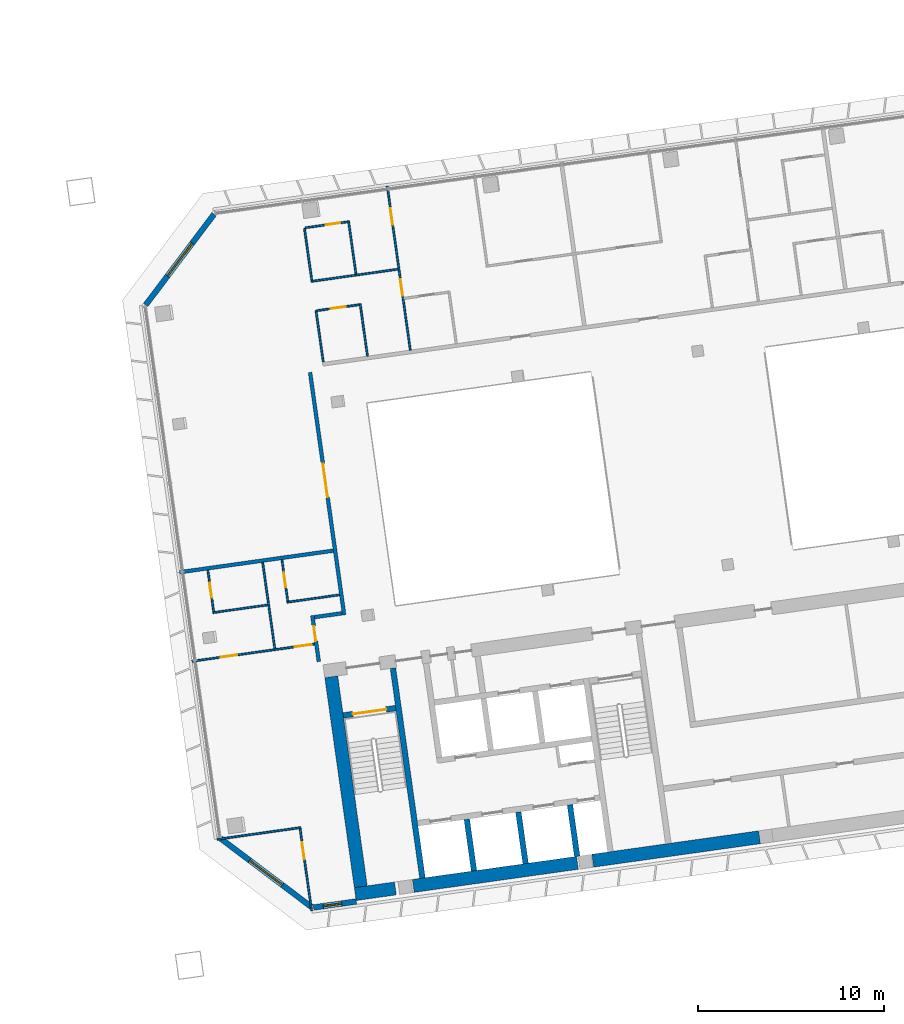
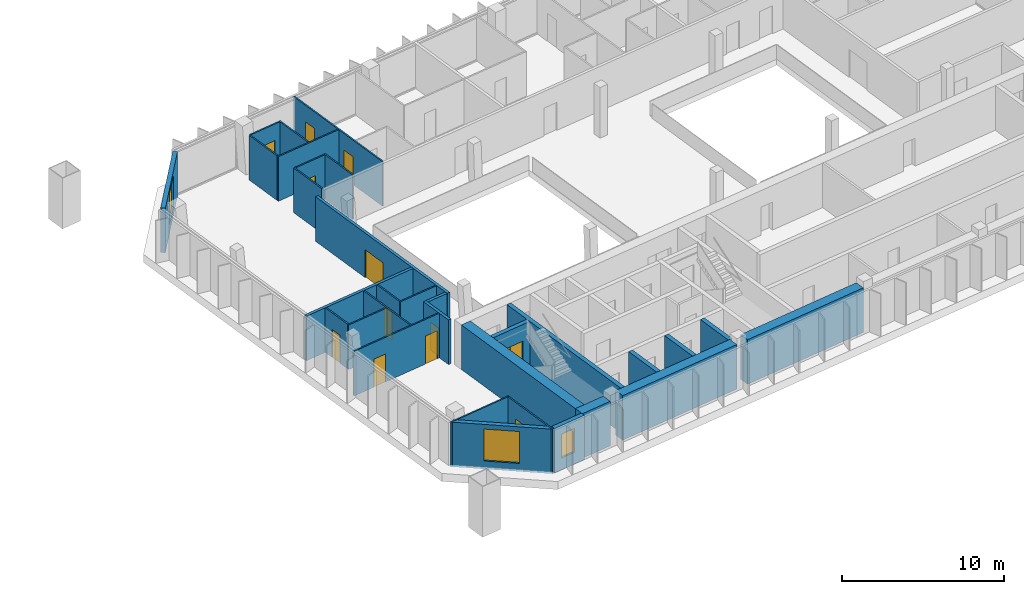
# One storey, part 17 of 23: 32 walls, 12 doors, 3 windows, 15 openings.
"""IFC4 building model written with IfcOpenShell, lengths in metres."""

from ifc_helpers import new_model, si_unit, direction, frame, frame_2d, origin, place, context, subcontext, project, spatial, rectangle, extrude, material, layer, layer_set, type_object, element, fill, save


model = new_model("IFC4")

# Units and contexts
model_context = context("Model", 3, precision=1e-05, world=origin(), true_north=direction((0.0, 1.0)))
body_context = subcontext(model_context, "Body", "Model", "MODEL_VIEW")
ifc_project = project(units=[si_unit("LENGTHUNIT", "METRE"), si_unit("AREAUNIT", "SQUARE_METRE"), si_unit("VOLUMEUNIT", "CUBIC_METRE"), si_unit("PLANEANGLEUNIT", "RADIAN"), si_unit("MASSUNIT", "GRAM", prefix="KILO")], contexts=[model_context])

# Site, building, storey
site_placement = place(None, origin())
site = spatial("IfcSite", under=ifc_project, at=site_placement, CompositionType="ELEMENT")
building_placement = place(site_placement, origin())
building = spatial("IfcBuilding", under=site, at=building_placement, Name="Mirante Cascada Hotel Towers", CompositionType="ELEMENT")
storey_placement = place(building_placement, frame((0.0, 0.0, 195.4)))
storey = spatial("IfcBuildingStorey", under=building, at=storey_placement, Name="L46", CompositionType="ELEMENT", Elevation=195.4)

# Walls
ifc_material_1 = material(Name="Fire-rated plasterboard on metal studs")
ifc_layer_1 = layer(ifc_material_1, 0.2)
ifc_layer_set_1 = layer_set([ifc_layer_1], Name="Compartment wall 200 EI 120")
wall_type_1 = type_object("IfcWallType", Name="Compartment wall 200 EI 120", PredefinedType="PARTITIONING", material=ifc_layer_set_1)
wall_1_placement = place(storey_placement, frame((35.0284, -4.7267, 0.0), z_axis=(0.0, 0.0, 1.0), x_axis=(0.9902735, 0.1391343, 0.0)))
element("IfcWall", 1, at=wall_1_placement, inside=storey, type_object=wall_type_1, Name="Wall 2-L46-05", PredefinedType="PARTITIONING", context=body_context, shape_type="SweptSolid", body=[
    extrude(rectangle(XDim=1.5, YDim=0.2, at=frame_2d((0.75, 0.0))), origin(), (0.0, 0.0, 1.0), 3.35),
])
wall_2_placement = place(storey_placement, frame((27.7762, -2.3125, 0.0), z_axis=(0.0, 0.0, 1.0), x_axis=(0.9902678, 0.1391748, 0.0)))
element("IfcWall", 2, at=wall_2_placement, inside=storey, type_object=wall_type_1, Name="Wall 2-L46-09", PredefinedType="PARTITIONING", context=body_context, shape_type="SweptSolid", body=[
    extrude(rectangle(XDim=8.3456, YDim=0.2, at=frame_2d((4.1728, 0.0))), origin(), (0.0, 0.0, 1.0), 3.35),
])

# Wall, opening, door
wall_3_placement = place(storey_placement, frame((35.2634, -7.1173, 0.0), z_axis=(0.0, 0.0, 1.0), x_axis=(-0.1391586, 0.9902701, 0.0)))
wall_3 = element("IfcWall", 3, at=wall_3_placement, inside=storey, type_object=wall_type_1, Name="Wall 2-L46-29", PredefinedType="PARTITIONING", context=body_context, shape_type="SweptSolid", body=[
    extrude(rectangle(XDim=2.5, YDim=0.2, at=frame_2d((1.25, 0.0))), origin(), (0.0, 0.0, 1.0), 3.35),
])
opening_1_placement = place(wall_3_placement, frame((1.1167, 0.0, 0.0)))
opening_1 = element("IfcOpeningElement", 4, at=opening_1_placement, cuts=wall_3, Name="Opening D2-L46-22", PredefinedType="OPENING", context=body_context, shape_type="SweptSolid", body=[
    extrude(rectangle(XDim=0.8, YDim=2.1, at=frame_2d((0.4, 1.05))), frame((0.0, 0.1, 0.0), z_axis=(0.0, -1.0, 0.0), x_axis=(1.0, 0.0, 0.0)), (0.0, 0.0, 1.0), 0.2),
])
ifc_material_2 = material(Name="Fire-rated timber door leaf", Category="wood")
door_type_1 = type_object("IfcDoorType", Name="Bathroom door DG4 800x2100 EI 60", OperationType="SINGLE_SWING_LEFT", PredefinedType="DOOR", material=ifc_material_2)
door_1_placement = place(opening_1_placement, frame((0.8, 0.0, 0.0), z_axis=(0.0, 0.0, 1.0), x_axis=(-1.0, 0.0, 0.0)))
door_1 = element("IfcDoor", 5, at=door_1_placement, inside=storey, type_object=door_type_1, Name="Door D2-L46-22", OperationType="SINGLE_SWING_RIGHT", OverallHeight=2.1, OverallWidth=0.8, PredefinedType="DOOR", context=body_context, shape_type="SweptSolid", body=[
    extrude(rectangle(XDim=0.8, YDim=2.1, at=frame_2d((0.4, 1.05))), frame((0.0, 0.025, 0.0), z_axis=(0.0, -1.0, 0.0), x_axis=(1.0, 0.0, 0.0)), (0.0, 0.0, 1.0), 0.05),
])
fill(opening_1, door_1)

wall_4_placement = place(storey_placement, frame((34.7943, 8.4355, 0.0), z_axis=(0.0, 0.0, 1.0), x_axis=(0.1391764, -0.9902676, 0.0)))
wall_4 = element("IfcWall", 6, at=wall_4_placement, inside=storey, type_object=wall_type_1, Name="Wall 2-L46-30", PredefinedType="PARTITIONING", context=body_context, shape_type="SweptSolid", body=[
    extrude(rectangle(XDim=13.1667, YDim=0.2, at=frame_2d((6.5834, 0.0))), origin(), (0.0, 0.0, 1.0), 3.35),
])
opening_2_placement = place(wall_4_placement, frame((4.9667, 0.0, 0.0)))
opening_2 = element("IfcOpeningElement", 7, at=opening_2_placement, cuts=wall_4, Name="Opening D2-L46-23", PredefinedType="OPENING", context=body_context, shape_type="SweptSolid", body=[
    extrude(rectangle(XDim=1.8, YDim=2.1, at=frame_2d((0.9, 1.05))), frame((0.0, 0.1, 0.0), z_axis=(0.0, -1.0, 0.0), x_axis=(1.0, 0.0, 0.0)), (0.0, 0.0, 1.0), 0.2),
])
ifc_material_3 = material(Name="Fire-rated timber door leaf", Category="wood")
door_type_2 = type_object("IfcDoorType", Name="Suite double door DG2 1800x2100 EI 60", OperationType="DOUBLE_DOOR_SINGLE_SWING", PredefinedType="DOOR", material=ifc_material_3)
door_2_placement = place(opening_2_placement, origin())
door_2 = element("IfcDoor", 8, at=door_2_placement, inside=storey, type_object=door_type_2, Name="Door D2-L46-23", OperationType="DOUBLE_DOOR_SINGLE_SWING", OverallHeight=2.1, OverallWidth=1.8, PredefinedType="DOOR", context=body_context, shape_type="SweptSolid", body=[
    extrude(rectangle(XDim=0.895, YDim=2.1, at=frame_2d((0.4475, 1.05))), frame((0.0, 0.025, 0.0), z_axis=(0.0, -1.0, 0.0), x_axis=(1.0, 0.0, 0.0)), (0.0, 0.0, 1.0), 0.05),
    extrude(rectangle(XDim=0.895, YDim=2.1, at=frame_2d((1.3525, 1.05))), frame((0.0, 0.025, 0.0), z_axis=(0.0, -1.0, 0.0), x_axis=(1.0, 0.0, 0.0)), (0.0, 0.0, 1.0), 0.05),
])
fill(opening_2, door_2)

# Wall
ifc_material_4 = material(Name="Plasterboard on metal studs")
ifc_layer_2 = layer(ifc_material_4, 0.1)
ifc_layer_set_2 = layer_set([ifc_layer_2], Name="Partition 100")
wall_type_2 = type_object("IfcWallType", Name="Partition 100", PredefinedType="PARTITIONING", material=ifc_layer_set_2)
wall_5_placement = place(storey_placement, frame((29.7942, -16.6714, 0.0), z_axis=(0.0, 0.0, 1.0), x_axis=(0.9902691, 0.1391656, 0.0)))
element("IfcWall", 9, at=wall_5_placement, inside=storey, type_object=wall_type_2, Name="Wall 2-L46-01", PredefinedType="PARTITIONING", context=body_context, shape_type="SweptSolid", body=[
    extrude(rectangle(XDim=4.55, YDim=0.1, at=frame_2d((2.275, 0.0))), origin(), (0.0, 0.0, 1.0), 3.35),
])

# Wall, openings, doors
wall_6_placement = place(storey_placement, frame((35.0298, -6.1739, 0.0), z_axis=(0.0, 0.0, 1.0), x_axis=(-0.9902681, -0.1391732, 0.0)))
wall_6 = element("IfcWall", 10, at=wall_6_placement, inside=storey, type_object=wall_type_2, Name="Wall 2-L46-04", PredefinedType="PARTITIONING", context=body_context, shape_type="SweptSolid", body=[
    extrude(rectangle(XDim=6.6457, YDim=0.1, at=frame_2d((3.3228, 0.0))), origin(), (0.0, 0.0, 1.0), 3.35),
])
opening_3_placement = place(wall_6_placement, frame((4.1957, 0.0, 0.0)))
opening_3 = element("IfcOpeningElement", 11, at=opening_3_placement, cuts=wall_6, Name="Opening D2-L46-01", PredefinedType="OPENING", context=body_context, shape_type="SweptSolid", body=[
    extrude(rectangle(XDim=0.9, YDim=2.1, at=frame_2d((0.45, 1.05))), frame((0.0, 0.05, 0.0), z_axis=(0.0, -1.0, 0.0), x_axis=(1.0, 0.0, 0.0)), (0.0, 0.0, 1.0), 0.1),
])
opening_4_placement = place(wall_6_placement, frame((0.1614, 0.0, 0.0)))
opening_4 = element("IfcOpeningElement", 12, at=opening_4_placement, cuts=wall_6, Name="Opening D2-L46-02", PredefinedType="OPENING", context=body_context, shape_type="SweptSolid", body=[
    extrude(rectangle(XDim=0.9, YDim=2.1, at=frame_2d((0.45, 1.05))), frame((0.0, 0.05, 0.0), z_axis=(0.0, -1.0, 0.0), x_axis=(1.0, 0.0, 0.0)), (0.0, 0.0, 1.0), 0.1),
])
ifc_material_5 = material(Name="Timber door leaf", Category="wood")
door_type_3 = type_object("IfcDoorType", Name="Room door DG3 900x2100", OperationType="SINGLE_SWING_LEFT", PredefinedType="DOOR", material=ifc_material_5)
door_3_placement = place(opening_3_placement, origin())
door_3 = element("IfcDoor", 13, at=door_3_placement, inside=storey, type_object=door_type_3, Name="Door D2-L46-01", OperationType="SINGLE_SWING_LEFT", OverallHeight=2.1, OverallWidth=0.9, PredefinedType="DOOR", context=body_context, shape_type="SweptSolid", body=[
    extrude(rectangle(XDim=0.9, YDim=2.1, at=frame_2d((0.45, 1.05))), frame((0.0, 0.025, 0.0), z_axis=(0.0, -1.0, 0.0), x_axis=(1.0, 0.0, 0.0)), (0.0, 0.0, 1.0), 0.05),
])
fill(opening_3, door_3)
door_4_placement = place(opening_4_placement, origin())
door_4 = element("IfcDoor", 14, at=door_4_placement, inside=storey, type_object=door_type_3, Name="Door D2-L46-02", OperationType="SINGLE_SWING_LEFT", OverallHeight=2.1, OverallWidth=0.9, PredefinedType="DOOR", context=body_context, shape_type="SweptSolid", body=[
    extrude(rectangle(XDim=0.9, YDim=2.1, at=frame_2d((0.45, 1.05))), frame((0.0, 0.025, 0.0), z_axis=(0.0, -1.0, 0.0), x_axis=(1.0, 0.0, 0.0)), (0.0, 0.0, 1.0), 0.05),
])
fill(opening_4, door_4)

# Walls
wall_7_placement = place(storey_placement, frame((29.5686, -4.4842, 0.0), z_axis=(0.0, 0.0, 1.0), x_axis=(0.9902707, 0.1391545, 0.0)))
element("IfcWall", 15, at=wall_7_placement, inside=storey, type_object=wall_type_2, Name="Wall 2-L46-07", PredefinedType="PARTITIONING", context=body_context, shape_type="SweptSolid", body=[
    extrude(rectangle(XDim=2.9773, YDim=0.1, at=frame_2d((1.4886, 0.0))), origin(), (0.0, 0.0, 1.0), 3.35),
])
wall_8_placement = place(storey_placement, frame((36.3747, -3.5277, 0.0), z_axis=(0.0, 0.0, 1.0), x_axis=(-0.9902704, -0.1391564, 0.0)))
element("IfcWall", 16, at=wall_8_placement, inside=storey, type_object=wall_type_2, Name="Wall 2-L46-08", PredefinedType="PARTITIONING", context=body_context, shape_type="SweptSolid", body=[
    extrude(rectangle(XDim=2.85, YDim=0.1, at=frame_2d((1.425, 0.0))), origin(), (0.0, 0.0, 1.0), 3.35),
])

# Wall, opening, door
wall_9_placement = place(storey_placement, frame((37.4428, 12.0728, 0.0), z_axis=(0.0, 0.0, 1.0), x_axis=(-0.9902678, -0.1391749, 0.0)))
wall_9 = element("IfcWall", 17, at=wall_9_placement, inside=storey, type_object=wall_type_2, Name="Wall 2-L46-16", PredefinedType="PARTITIONING", context=body_context, shape_type="SweptSolid", body=[
    extrude(rectangle(XDim=2.3, YDim=0.1, at=frame_2d((1.15, 0.0))), origin(), (0.0, 0.0, 1.0), 3.35),
])
opening_5_placement = place(wall_9_placement, frame((0.75, 0.0, 0.0)))
opening_5 = element("IfcOpeningElement", 18, at=opening_5_placement, cuts=wall_9, Name="Opening D2-L46-10", PredefinedType="OPENING", context=body_context, shape_type="SweptSolid", body=[
    extrude(rectangle(XDim=0.8, YDim=2.1, at=frame_2d((0.4, 1.05))), frame((0.0, 0.05, 0.0), z_axis=(0.0, -1.0, 0.0), x_axis=(1.0, 0.0, 0.0)), (0.0, 0.0, 1.0), 0.1),
])
ifc_material_6 = material(Name="Timber door leaf", Category="wood")
door_type_4 = type_object("IfcDoorType", Name="Bathroom door DG4 800x2100", OperationType="SINGLE_SWING_LEFT", PredefinedType="DOOR", material=ifc_material_6)
door_5_placement = place(opening_5_placement, origin())
door_5 = element("IfcDoor", 19, at=door_5_placement, inside=storey, type_object=door_type_4, Name="Door D2-L46-10", OperationType="SINGLE_SWING_LEFT", OverallHeight=2.1, OverallWidth=0.8, PredefinedType="DOOR", context=body_context, shape_type="SweptSolid", body=[
    extrude(rectangle(XDim=0.8, YDim=2.1, at=frame_2d((0.4, 1.05))), frame((0.0, 0.025, 0.0), z_axis=(0.0, -1.0, 0.0), x_axis=(1.0, 0.0, 0.0)), (0.0, 0.0, 1.0), 0.05),
])
fill(opening_5, door_5)

# Wall
wall_10_placement = place(storey_placement, frame((34.8435, 13.3232, 0.0), z_axis=(0.0, 0.0, 1.0), x_axis=(0.9902687, 0.1391689, 0.0)))
element("IfcWall", 20, at=wall_10_placement, inside=storey, type_object=wall_type_2, Name="Wall 2-L46-21", PredefinedType="PARTITIONING", context=body_context, shape_type="SweptSolid", body=[
    extrude(rectangle(XDim=4.7245, YDim=0.1, at=frame_2d((2.3622, 0.0))), origin(), (0.0, 0.0, 1.0), 3.35),
])

# Wall, opening, door
wall_11_placement = place(storey_placement, frame((34.5389, 16.2089, 0.0), z_axis=(0.0, 0.0, 1.0), x_axis=(0.9902678, 0.1391749, 0.0)))
wall_11 = element("IfcWall", 21, at=wall_11_placement, inside=storey, type_object=wall_type_2, Name="Wall 2-L46-23", PredefinedType="PARTITIONING", context=body_context, shape_type="SweptSolid", body=[
    extrude(rectangle(XDim=2.3, YDim=0.1, at=frame_2d((1.15, 0.0))), origin(), (0.0, 0.0, 1.0), 3.35),
])
opening_6_placement = place(wall_11_placement, frame((1.1, 0.0, 0.0)))
opening_6 = element("IfcOpeningElement", 22, at=opening_6_placement, cuts=wall_11, Name="Opening D2-L46-17", PredefinedType="OPENING", context=body_context, shape_type="SweptSolid", body=[
    extrude(rectangle(XDim=0.8, YDim=2.1, at=frame_2d((0.4, 1.05))), frame((0.0, 0.05, 0.0), z_axis=(0.0, -1.0, 0.0), x_axis=(1.0, 0.0, 0.0)), (0.0, 0.0, 1.0), 0.1),
])
door_6_placement = place(opening_6_placement, frame((0.8, 0.0, 0.0), z_axis=(0.0, 0.0, 1.0), x_axis=(-1.0, 0.0, 0.0)))
door_6 = element("IfcDoor", 23, at=door_6_placement, inside=storey, type_object=door_type_4, Name="Door D2-L46-17", OperationType="SINGLE_SWING_RIGHT", OverallHeight=2.1, OverallWidth=0.8, PredefinedType="DOOR", context=body_context, shape_type="SweptSolid", body=[
    extrude(rectangle(XDim=0.8, YDim=2.1, at=frame_2d((0.4, 1.05))), frame((0.0, 0.025, 0.0), z_axis=(0.0, -1.0, 0.0), x_axis=(1.0, 0.0, 0.0)), (0.0, 0.0, 1.0), 0.05),
])
fill(opening_6, door_6)

wall_12_placement = place(storey_placement, frame((29.6112, -4.4277, 0.0), z_axis=(0.0, 0.0, 1.0), x_axis=(-0.1391561, 0.9902705, 0.0)))
wall_12 = element("IfcWall", 24, at=wall_12_placement, inside=storey, type_object=wall_type_2, Name="Wall 2-L46-25", PredefinedType="PARTITIONING", context=body_context, shape_type="SweptSolid", body=[
    extrude(rectangle(XDim=2.25, YDim=0.1, at=frame_2d((1.125, 0.0))), origin(), (0.0, 0.0, 1.0), 3.35),
])
opening_7_placement = place(wall_12_placement, frame((0.75, 0.0, 0.0)))
opening_7 = element("IfcOpeningElement", 25, at=opening_7_placement, cuts=wall_12, Name="Opening D2-L46-19", PredefinedType="OPENING", context=body_context, shape_type="SweptSolid", body=[
    extrude(rectangle(XDim=0.8, YDim=2.1, at=frame_2d((0.4, 1.05))), frame((0.0, 0.05, 0.0), z_axis=(0.0, -1.0, 0.0), x_axis=(1.0, 0.0, 0.0)), (0.0, 0.0, 1.0), 0.1),
])
door_7_placement = place(opening_7_placement, frame((0.8, 0.0, 0.0), z_axis=(0.0, 0.0, 1.0), x_axis=(-1.0, 0.0, 0.0)))
door_7 = element("IfcDoor", 26, at=door_7_placement, inside=storey, type_object=door_type_4, Name="Door D2-L46-19", OperationType="SINGLE_SWING_RIGHT", OverallHeight=2.1, OverallWidth=0.8, PredefinedType="DOOR", context=body_context, shape_type="SweptSolid", body=[
    extrude(rectangle(XDim=0.8, YDim=2.1, at=frame_2d((0.4, 1.05))), frame((0.0, 0.025, 0.0), z_axis=(0.0, -1.0, 0.0), x_axis=(1.0, 0.0, 0.0)), (0.0, 0.0, 1.0), 0.05),
])
fill(opening_7, door_7)

wall_13_placement = place(storey_placement, frame((34.2573, -16.0947, 0.0), z_axis=(0.0, 0.0, 1.0), x_axis=(0.1391904, -0.9902656, 0.0)))
wall_13 = element("IfcWall", 27, at=wall_13_placement, inside=storey, type_object=wall_type_2, Name="Wall 2-L46-26", PredefinedType="PARTITIONING", context=body_context, shape_type="SweptSolid", body=[
    extrude(rectangle(XDim=4.45, YDim=0.1, at=frame_2d((2.225, 0.0))), origin(), (0.0, 0.0, 1.0), 3.35),
])
opening_8_placement = place(wall_13_placement, frame((0.75, 0.0, 0.0)))
opening_8 = element("IfcOpeningElement", 28, at=opening_8_placement, cuts=wall_13, Name="Opening D2-L46-20", PredefinedType="OPENING", context=body_context, shape_type="SweptSolid", body=[
    extrude(rectangle(XDim=0.9, YDim=2.1, at=frame_2d((0.45, 1.05))), frame((0.0, 0.05, 0.0), z_axis=(0.0, -1.0, 0.0), x_axis=(1.0, 0.0, 0.0)), (0.0, 0.0, 1.0), 0.1),
])
door_8_placement = place(opening_8_placement, frame((0.9, 0.0, 0.0), z_axis=(0.0, 0.0, 1.0), x_axis=(-1.0, 0.0, 0.0)))
door_8 = element("IfcDoor", 29, at=door_8_placement, inside=storey, type_object=door_type_3, Name="Door D2-L46-20", OperationType="SINGLE_SWING_RIGHT", OverallHeight=2.1, OverallWidth=0.9, PredefinedType="DOOR", context=body_context, shape_type="SweptSolid", body=[
    extrude(rectangle(XDim=0.9, YDim=2.1, at=frame_2d((0.45, 1.05))), frame((0.0, 0.025, 0.0), z_axis=(0.0, -1.0, 0.0), x_axis=(1.0, 0.0, 0.0)), (0.0, 0.0, 1.0), 0.05),
])
fill(opening_8, door_8)

# Wall
wall_14_placement = place(storey_placement, frame((32.8981, -6.423, 0.0), z_axis=(0.0, 0.0, 1.0), x_axis=(-0.139176, 0.9902677, 0.0)))
element("IfcWall", 30, at=wall_14_placement, inside=storey, type_object=wall_type_2, Name="Wall 2-L46-27", PredefinedType="PARTITIONING", context=body_context, shape_type="SweptSolid", body=[
    extrude(rectangle(XDim=4.6833, YDim=0.1, at=frame_2d((2.3416, 0.0))), origin(), (0.0, 0.0, 1.0), 3.35),
])

# Wall, opening, door
wall_15_placement = place(storey_placement, frame((33.2818, -1.6398, 0.0), z_axis=(0.0, 0.0, 1.0), x_axis=(0.1391561, -0.9902705, 0.0)))
wall_15 = element("IfcWall", 31, at=wall_15_placement, inside=storey, type_object=wall_type_2, Name="Wall 2-L46-28", PredefinedType="PARTITIONING", context=body_context, shape_type="SweptSolid", body=[
    extrude(rectangle(XDim=2.25, YDim=0.1, at=frame_2d((1.125, 0.0))), origin(), (0.0, 0.0, 1.0), 3.35),
])
opening_9_placement = place(wall_15_placement, frame((0.7, 0.0, 0.0)))
opening_9 = element("IfcOpeningElement", 32, at=opening_9_placement, cuts=wall_15, Name="Opening D2-L46-21", PredefinedType="OPENING", context=body_context, shape_type="SweptSolid", body=[
    extrude(rectangle(XDim=0.8, YDim=2.1, at=frame_2d((0.4, 1.05))), frame((0.0, 0.05, 0.0), z_axis=(0.0, -1.0, 0.0), x_axis=(1.0, 0.0, 0.0)), (0.0, 0.0, 1.0), 0.1),
])
door_9_placement = place(opening_9_placement, origin())
door_9 = element("IfcDoor", 33, at=door_9_placement, inside=storey, type_object=door_type_4, Name="Door D2-L46-21", OperationType="SINGLE_SWING_LEFT", OverallHeight=2.1, OverallWidth=0.8, PredefinedType="DOOR", context=body_context, shape_type="SweptSolid", body=[
    extrude(rectangle(XDim=0.8, YDim=2.1, at=frame_2d((0.4, 1.05))), frame((0.0, 0.025, 0.0), z_axis=(0.0, -1.0, 0.0), x_axis=(1.0, 0.0, 0.0)), (0.0, 0.0, 1.0), 0.05),
])
fill(opening_9, door_9)

# Walls
for number, where, z_axis, x_axis, name in (
    (34, (35.5012, 9.0027, 0.0), (0.0, 0.0, 1.0), (-0.1391779, 0.9902674, 0.0), "Wall 2-L46-31"),
    (35, (34.4935, 16.1722, 0.0), (0.0, 0.0, 1.0), (0.1391779, -0.9902674, 0.0), "Wall 2-L46-32"),
):
    element("IfcWall", number, at=place(storey_placement, frame(where, z_axis=z_axis, x_axis=x_axis)), inside=storey, type_object=wall_type_2, Name=name, PredefinedType="PARTITIONING", context=body_context, shape_type="SweptSolid", body=[
        extrude(rectangle(XDim=2.79, YDim=0.1, at=frame_2d((1.395, 0.0))), origin(), (0.0, 0.0, 1.0), 3.35),
    ])
wall_16_placement = place(storey_placement, frame((37.882, 9.307, 0.0), z_axis=(0.0, 0.0, 1.0), x_axis=(-0.1391909, 0.9902656, 0.0)))
element("IfcWall", 36, at=wall_16_placement, inside=storey, type_object=wall_type_2, Name="Wall 2-L46-33", PredefinedType="PARTITIONING", context=body_context, shape_type="SweptSolid", body=[
    extrude(rectangle(XDim=2.85, YDim=0.1, at=frame_2d((1.425, 0.0))), origin(), (0.0, 0.0, 1.0), 3.35),
])
wall_17_placement = place(storey_placement, frame((36.8591, 16.5855, 0.0), z_axis=(0.0, 0.0, 1.0), x_axis=(0.1391714, -0.9902683, 0.0)))
element("IfcWall", 37, at=wall_17_placement, inside=storey, type_object=wall_type_2, Name="Wall 2-L46-34", PredefinedType="PARTITIONING", context=body_context, shape_type="SweptSolid", body=[
    extrude(rectangle(XDim=2.9, YDim=0.1, at=frame_2d((1.45, 0.0))), origin(), (0.0, 0.0, 1.0), 3.35),
])

# Wall, openings, doors
wall_18_placement = place(storey_placement, frame((40.1839, 9.6305, 0.0), z_axis=(0.0, 0.0, 1.0), x_axis=(-0.1391794, 0.9902672, 0.0)))
wall_18 = element("IfcWall", 38, at=wall_18_placement, inside=storey, type_object=wall_type_2, Name="Wall 2-L46-35", PredefinedType="PARTITIONING", context=body_context, shape_type="SweptSolid", body=[
    extrude(rectangle(XDim=8.9, YDim=0.1, at=frame_2d((4.45, 0.0))), origin(), (0.0, 0.0, 1.0), 3.35),
])
opening_10_placement = place(wall_18_placement, frame((2.95, 0.0, 0.0)))
opening_10 = element("IfcOpeningElement", 39, at=opening_10_placement, cuts=wall_18, Name="Opening D2-L46-24", PredefinedType="OPENING", context=body_context, shape_type="SweptSolid", body=[
    extrude(rectangle(XDim=0.9, YDim=2.1, at=frame_2d((0.45, 1.05))), frame((0.0, 0.05, 0.0), z_axis=(0.0, -1.0, 0.0), x_axis=(1.0, 0.0, 0.0)), (0.0, 0.0, 1.0), 0.1),
])
opening_11_placement = place(wall_18_placement, frame((6.8, 0.0, 0.0)))
opening_11 = element("IfcOpeningElement", 40, at=opening_11_placement, cuts=wall_18, Name="Opening D2-L46-25", PredefinedType="OPENING", context=body_context, shape_type="SweptSolid", body=[
    extrude(rectangle(XDim=0.9, YDim=2.1, at=frame_2d((0.45, 1.05))), frame((0.0, 0.05, 0.0), z_axis=(0.0, -1.0, 0.0), x_axis=(1.0, 0.0, 0.0)), (0.0, 0.0, 1.0), 0.1),
])
door_10_placement = place(opening_10_placement, frame((0.9, 0.0, 0.0), z_axis=(0.0, 0.0, 1.0), x_axis=(-1.0, 0.0, 0.0)))
door_10 = element("IfcDoor", 41, at=door_10_placement, inside=storey, type_object=door_type_3, Name="Door D2-L46-24", OperationType="SINGLE_SWING_RIGHT", OverallHeight=2.1, OverallWidth=0.9, PredefinedType="DOOR", context=body_context, shape_type="SweptSolid", body=[
    extrude(rectangle(XDim=0.9, YDim=2.1, at=frame_2d((0.45, 1.05))), frame((0.0, 0.025, 0.0), z_axis=(0.0, -1.0, 0.0), x_axis=(1.0, 0.0, 0.0)), (0.0, 0.0, 1.0), 0.05),
])
fill(opening_10, door_10)
door_11_placement = place(opening_11_placement, frame((0.9, 0.0, 0.0), z_axis=(0.0, 0.0, 1.0), x_axis=(-1.0, 0.0, 0.0)))
door_11 = element("IfcDoor", 42, at=door_11_placement, inside=storey, type_object=door_type_3, Name="Door D2-L46-25", OperationType="SINGLE_SWING_RIGHT", OverallHeight=2.1, OverallWidth=0.9, PredefinedType="DOOR", context=body_context, shape_type="SweptSolid", body=[
    extrude(rectangle(XDim=0.9, YDim=2.1, at=frame_2d((0.45, 1.05))), frame((0.0, 0.025, 0.0), z_axis=(0.0, -1.0, 0.0), x_axis=(1.0, 0.0, 0.0)), (0.0, 0.0, 1.0), 0.05),
])
fill(opening_11, door_11)

# Wall, opening, window
ifc_material_7 = material(Name="Precast concrete C40/50", Category="concrete")
ifc_layer_3 = layer(ifc_material_7, 0.3)
ifc_layer_set_3 = layer_set([ifc_layer_3], Name="Precast concrete C40/50 cladding wall 300")
wall_type_3 = type_object("IfcWallType", Name="Precast concrete C40/50 cladding wall 300", PredefinedType="STANDARD", material=ifc_layer_set_3)
wall_19_placement = place(storey_placement, frame((34.9787, -20.3355, 0.0), z_axis=(0.0, 0.0, 1.0), x_axis=(0.9902683, 0.1391717, 0.0)))
wall_19 = element("IfcWall", 43, at=wall_19_placement, inside=storey, type_object=wall_type_3, Name="Rear cladding wall T2 L46 1", PredefinedType="STANDARD", context=body_context, shape_type="SweptSolid", body=[
    extrude(rectangle(XDim=2.3216, YDim=0.3, at=frame_2d((1.1608, 0.0))), origin(), (0.0, 0.0, 1.0), 3.35),
])
opening_12_placement = place(wall_19_placement, frame((0.5308, 0.0, 0.9)))
opening_12 = element("IfcOpeningElement", 44, at=opening_12_placement, cuts=wall_19, Name="Opening W2-46-05", PredefinedType="OPENING", context=body_context, shape_type="SweptSolid", body=[
    extrude(rectangle(XDim=1.0, YDim=1.8, at=frame_2d((0.5, 0.9))), frame((0.0, 0.15, 0.0), z_axis=(0.0, -1.0, 0.0), x_axis=(1.0, 0.0, 0.0)), (0.0, 0.0, 1.0), 0.3),
])
ifc_material_8 = material(Name="Aluminium frame with clear double glazing", Category="aluminium")
window_type_1 = type_object("IfcWindowType", Name="Punched window 1000x1800", PartitioningType="SINGLE_PANEL", PredefinedType="WINDOW", material=ifc_material_8)
window_1_placement = place(opening_12_placement, origin())
window_1 = element("IfcWindow", 45, at=window_1_placement, inside=storey, type_object=window_type_1, Name="Window W2-46-05", OverallHeight=1.8, OverallWidth=1.0, PartitioningType="SINGLE_PANEL", PredefinedType="WINDOW", context=body_context, shape_type="SweptSolid", body=[
    extrude(rectangle(XDim=1.0, YDim=1.8, at=frame_2d((0.5, 0.9))), frame((0.0, 0.03, 0.0), z_axis=(0.0, -1.0, 0.0), x_axis=(1.0, 0.0, 0.0)), (0.0, 0.0, 1.0), 0.06),
])
fill(opening_12, window_1)

wall_20_placement = place(storey_placement, frame((29.6332, 16.9394, 0.0), z_axis=(0.0, 0.0, 1.0), x_axis=(-0.6018245, -0.7986283, 0.0)))
wall_20 = element("IfcWall", 46, at=wall_20_placement, inside=storey, type_object=wall_type_3, Name="Corner cladding wall T2 L46 front inner", PredefinedType="STANDARD", context=body_context, shape_type="SweptSolid", body=[
    extrude(rectangle(XDim=6.1157, YDim=0.3, at=frame_2d((3.0578, 0.0))), origin(), (0.0, 0.0, 1.0), 3.35),
])
opening_13_placement = place(wall_20_placement, frame((1.9578, 0.0, 0.6)))
opening_13 = element("IfcOpeningElement", 47, at=opening_13_placement, cuts=wall_20, Name="Opening W2-46-03", PredefinedType="OPENING", context=body_context, shape_type="SweptSolid", body=[
    extrude(rectangle(XDim=2.2, YDim=2.4, at=frame_2d((1.1, 1.2))), frame((0.0, 0.15, 0.0), z_axis=(0.0, -1.0, 0.0), x_axis=(1.0, 0.0, 0.0)), (0.0, 0.0, 1.0), 0.3),
])
ifc_material_9 = material(Name="Aluminium frame with clear double glazing", Category="aluminium")
window_type_2 = type_object("IfcWindowType", Name="Corner suite window 2200x2400", PartitioningType="DOUBLE_PANEL_VERTICAL", PredefinedType="WINDOW", material=ifc_material_9)
window_2_placement = place(opening_13_placement, origin())
window_2 = element("IfcWindow", 48, at=window_2_placement, inside=storey, type_object=window_type_2, Name="Window W2-46-03", OverallHeight=2.4, OverallWidth=2.2, PartitioningType="SINGLE_PANEL", PredefinedType="WINDOW", context=body_context, shape_type="SweptSolid", body=[
    extrude(rectangle(XDim=2.2, YDim=2.4, at=frame_2d((1.1, 1.2))), frame((0.0, 0.03, 0.0), z_axis=(0.0, -1.0, 0.0), x_axis=(1.0, 0.0, 0.0)), (0.0, 0.0, 1.0), 0.06),
])
fill(opening_13, window_2)

wall_21_placement = place(storey_placement, frame((29.9836, -16.6263, 0.0), z_axis=(0.0, 0.0, 1.0), x_axis=(0.7986283, -0.6018245, 0.0)))
wall_21 = element("IfcWall", 49, at=wall_21_placement, inside=storey, type_object=wall_type_3, Name="Corner cladding wall T2 L46 inner rear", PredefinedType="STANDARD", context=body_context, shape_type="SweptSolid", body=[
    extrude(rectangle(XDim=6.1157, YDim=0.3, at=frame_2d((3.0578, 0.0))), origin(), (0.0, 0.0, 1.0), 3.35),
])
opening_14_placement = place(wall_21_placement, frame((1.9578, 0.0, 0.6)))
opening_14 = element("IfcOpeningElement", 50, at=opening_14_placement, cuts=wall_21, Name="Opening W2-46-04", PredefinedType="OPENING", context=body_context, shape_type="SweptSolid", body=[
    extrude(rectangle(XDim=2.2, YDim=2.4, at=frame_2d((1.1, 1.2))), frame((0.0, 0.15, 0.0), z_axis=(0.0, -1.0, 0.0), x_axis=(1.0, 0.0, 0.0)), (0.0, 0.0, 1.0), 0.3),
])
window_3_placement = place(opening_14_placement, origin())
window_3 = element("IfcWindow", 51, at=window_3_placement, inside=storey, type_object=window_type_2, Name="Window W2-46-04", OverallHeight=2.4, OverallWidth=2.2, PartitioningType="SINGLE_PANEL", PredefinedType="WINDOW", context=body_context, shape_type="SweptSolid", body=[
    extrude(rectangle(XDim=2.2, YDim=2.4, at=frame_2d((1.1, 1.2))), frame((0.0, 0.03, 0.0), z_axis=(0.0, -1.0, 0.0), x_axis=(1.0, 0.0, 0.0)), (0.0, 0.0, 1.0), 0.06),
])
fill(opening_14, window_3)

# Wall
ifc_material_10 = material(Name="Concrete C50/60", Category="concrete")
ifc_layer_4 = layer(ifc_material_10, 0.3)
ifc_layer_set_4 = layer_set([ifc_layer_4], Name="RC core wall 300 C50/60")
wall_type_4 = type_object("IfcWallType", Name="RC core wall 300 C50/60", PredefinedType="SHEAR", material=ifc_layer_set_4)
wall_22_placement = place(storey_placement, frame((40.8373, -18.7548, 0.0), z_axis=(0.0, 0.0, 1.0), x_axis=(-0.1391749, 0.9902678, 0.0)))
element("IfcWall", 52, at=wall_22_placement, inside=storey, type_object=wall_type_4, Name="Core wall T2:L46:5", PredefinedType="SHEAR", context=body_context, shape_type="SweptSolid", body=[
    extrude(rectangle(XDim=11.4, YDim=0.3, at=frame_2d((5.7, 0.0))), origin(), (0.0, 0.0, 1.0), 3.35),
])

# Wall, opening, door
wall_23_placement = place(storey_placement, frame((36.5791, -10.0123, 0.0), z_axis=(0.0, 0.0, 1.0), x_axis=(0.9902704, 0.1391564, 0.0)))
wall_23 = element("IfcWall", 53, at=wall_23_placement, inside=storey, type_object=wall_type_4, Name="Core wall T2:L46:8", PredefinedType="SHEAR", context=body_context, shape_type="SweptSolid", body=[
    extrude(rectangle(XDim=2.85, YDim=0.3, at=frame_2d((1.425, 0.0))), origin(), (0.0, 0.0, 1.0), 3.35),
])
opening_15_placement = place(wall_23_placement, frame((0.525, 0.0, 0.0)))
opening_15 = element("IfcOpeningElement", 54, at=opening_15_placement, cuts=wall_23, Name="Opening D2-46-C07", PredefinedType="OPENING", context=body_context, shape_type="SweptSolid", body=[
    extrude(rectangle(XDim=1.8, YDim=2.1, at=frame_2d((0.9, 1.05))), frame((0.0, 0.15, 0.0), z_axis=(0.0, -1.0, 0.0), x_axis=(1.0, 0.0, 0.0)), (0.0, 0.0, 1.0), 0.3),
])
ifc_material_11 = material(Name="Hollow metal fire door leaf")
door_type_5 = type_object("IfcDoorType", Name="Double fire door 1800x2100 FD60", OperationType="DOUBLE_DOOR_SINGLE_SWING", PredefinedType="DOOR", material=ifc_material_11)
door_12_placement = place(opening_15_placement, frame((1.8, 0.0, 0.0), z_axis=(0.0, 0.0, 1.0), x_axis=(-1.0, 0.0, 0.0)))
door_12 = element("IfcDoor", 55, at=door_12_placement, inside=storey, type_object=door_type_5, Name="Stair door T2 L46 7", OperationType="DOUBLE_DOOR_SINGLE_SWING", OverallHeight=2.1, OverallWidth=1.8, PredefinedType="DOOR", context=body_context, shape_type="SweptSolid", body=[
    extrude(rectangle(XDim=0.895, YDim=2.1, at=frame_2d((0.4475, 1.05))), frame((0.0, 0.025, 0.0), z_axis=(0.0, -1.0, 0.0), x_axis=(1.0, 0.0, 0.0)), (0.0, 0.0, 1.0), 0.05),
    extrude(rectangle(XDim=0.895, YDim=2.1, at=frame_2d((1.3525, 1.05))), frame((0.0, 0.025, 0.0), z_axis=(0.0, -1.0, 0.0), x_axis=(1.0, 0.0, 0.0)), (0.0, 0.0, 1.0), 0.05),
])
fill(opening_15, door_12)

# Walls
wall_24_placement = place(storey_placement, frame((43.61, -18.3651, 0.0), z_axis=(0.0, 0.0, 1.0), x_axis=(-0.1391459, 0.9902719, 0.0)))
element("IfcWall", 56, at=wall_24_placement, inside=storey, type_object=wall_type_4, Name="Core wall T2:L46:13", PredefinedType="SHEAR", context=body_context, shape_type="SweptSolid", body=[
    extrude(rectangle(XDim=2.7999, YDim=0.3, at=frame_2d((1.4, 0.0))), origin(), (0.0, 0.0, 1.0), 3.35),
])
wall_25_placement = place(storey_placement, frame((46.3828, -17.9754, 0.0), z_axis=(0.0, 0.0, 1.0), x_axis=(-0.139181, 0.990267, 0.0)))
element("IfcWall", 57, at=wall_25_placement, inside=storey, type_object=wall_type_4, Name="Core wall T2:L46:14", PredefinedType="SHEAR", context=body_context, shape_type="SweptSolid", body=[
    extrude(rectangle(XDim=2.8, YDim=0.3, at=frame_2d((1.4, 0.0))), origin(), (0.0, 0.0, 1.0), 3.35),
])
wall_26_placement = place(storey_placement, frame((49.1555, -17.5857, 0.0), z_axis=(0.0, 0.0, 1.0), x_axis=(-0.1391459, 0.9902719, 0.0)))
element("IfcWall", 58, at=wall_26_placement, inside=storey, type_object=wall_type_4, Name="Core wall T2:L46:15", PredefinedType="SHEAR", context=body_context, shape_type="SweptSolid", body=[
    extrude(rectangle(XDim=2.7999, YDim=0.3, at=frame_2d((1.4, 0.0))), origin(), (0.0, 0.0, 1.0), 3.35),
])
ifc_material_12 = material(Name="Concrete C50/60", Category="concrete")
ifc_layer_5 = layer(ifc_material_12, 0.7)
ifc_layer_set_5 = layer_set([ifc_layer_5], Name="RC core wall 700 C50/60")
wall_type_5 = type_object("IfcWallType", Name="RC core wall 700 C50/60", PredefinedType="SHEAR", material=ifc_layer_set_5)
wall_27_placement = place(storey_placement, frame((37.222, -19.6163, 0.0), z_axis=(0.0, 0.0, 1.0), x_axis=(0.9902728, 0.1391395, 0.0)))
element("IfcWall", 59, at=wall_27_placement, inside=storey, type_object=wall_type_5, Name="Core wall T2:L46:1.1", PredefinedType="SHEAR", context=body_context, shape_type="SweptSolid", body=[
    extrude(rectangle(XDim=2.1784, YDim=0.7, at=frame_2d((1.0892, 0.0))), origin(), (0.0, 0.0, 1.0), 3.35),
])
wall_28_placement = place(storey_placement, frame((40.3442, -19.1775, 0.0), z_axis=(0.0, 0.0, 1.0), x_axis=(0.9902683, 0.1391713, 0.0)))
element("IfcWall", 60, at=wall_28_placement, inside=storey, type_object=wall_type_5, Name="Core wall T2:L46:1.2", PredefinedType="SHEAR", context=body_context, shape_type="SweptSolid", body=[
    extrude(rectangle(XDim=8.9113, YDim=0.7, at=frame_2d((4.4556, 0.0))), origin(), (0.0, 0.0, 1.0), 3.35),
])
wall_29_placement = place(storey_placement, frame((49.9979, -17.8208, 0.0), z_axis=(0.0, 0.0, 1.0), x_axis=(0.9902683, 0.1391714, 0.0)))
element("IfcWall", 61, at=wall_29_placement, inside=storey, type_object=wall_type_5, Name="Core wall T2:L46:1.3", PredefinedType="SHEAR", context=body_context, shape_type="SweptSolid", body=[
    extrude(rectangle(XDim=9.0486, YDim=0.7, at=frame_2d((4.5243, 0.0))), origin(), (0.0, 0.0, 1.0), 3.35),
])
wall_30_placement = place(storey_placement, frame((37.5199, -19.221, 0.0), z_axis=(0.0, 0.0, 1.0), x_axis=(-0.1391761, 0.9902677, 0.0)))
element("IfcWall", 62, at=wall_30_placement, inside=storey, type_object=wall_type_5, Name="Core wall T2:L46:3", PredefinedType="SHEAR", context=body_context, shape_type="SweptSolid", body=[
    extrude(rectangle(XDim=11.3999, YDim=0.7, at=frame_2d((5.7, 0.0))), origin(), (0.0, 0.0, 1.0), 3.35),
])

save(model, "model.ifc")
